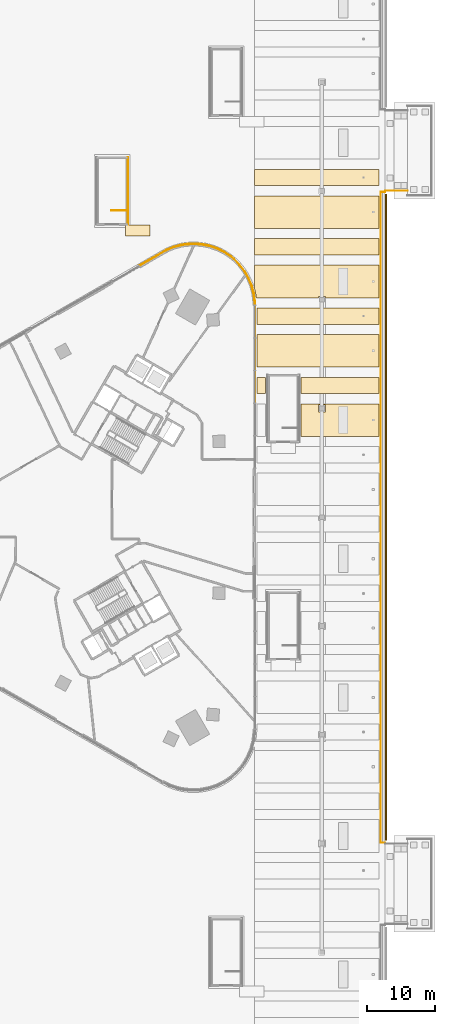
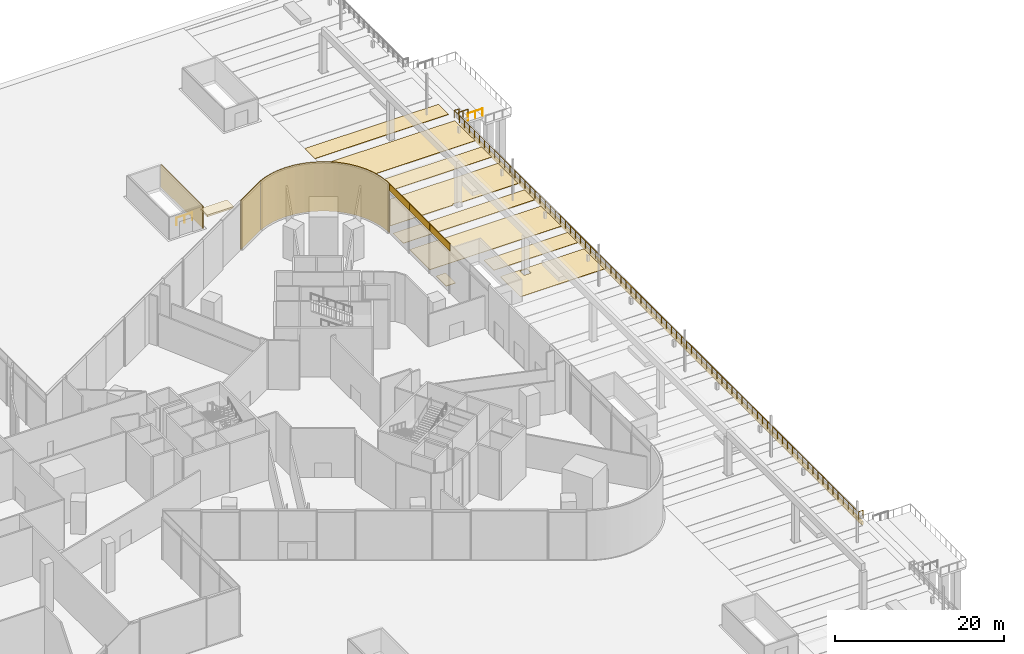
# One storey, part 38 of 41: 17 coverings, 4 railings.
"""IFC4 building model written with IfcOpenShell, lengths in metres."""

from ifc_helpers import new_model, si_unit, direction, frame, origin, origin_2d, place, context, subcontext, project, spatial, polyline, rectangle, circle, outline, extrude, material, layer, layer_set, type_object, element, save


model = new_model("IFC4")

# Units and contexts
model_context = context("Model", 3, precision=1e-05, world=origin(), true_north=direction((0.0, 1.0)))
body_context = subcontext(model_context, "Body", "Model", "MODEL_VIEW")
ifc_project = project(units=[si_unit("LENGTHUNIT", "METRE"), si_unit("AREAUNIT", "SQUARE_METRE"), si_unit("VOLUMEUNIT", "CUBIC_METRE"), si_unit("PLANEANGLEUNIT", "RADIAN"), si_unit("MASSUNIT", "GRAM", prefix="KILO")], contexts=[model_context])

# Site, building, storey
site_placement = place(None, origin())
site = spatial("IfcSite", under=ifc_project, at=site_placement, CompositionType="ELEMENT")
building_placement = place(site_placement, origin())
building = spatial("IfcBuilding", under=site, at=building_placement, Name="Tamra Quay Hotel Tower", CompositionType="ELEMENT")
storey_placement = place(building_placement, origin())
storey = spatial("IfcBuildingStorey", under=building, at=storey_placement, Name="L00", CompositionType="ELEMENT", Elevation=0.0)

# Railing
ifc_material_1 = material(Name="Basement stair guard 1100")
railing_type_1 = type_object("IfcRailingType", Name="Basement stair guard 1100", PredefinedType="GUARDRAIL", material=ifc_material_1)
railing_1_placement = place(storey_placement, frame((8.10009765625, 45.14990234375, 0.0)))
element("IfcRailing", 1, at=railing_1_placement, inside=storey, type_object=railing_type_1, Name="BSG", PredefinedType="GUARDRAIL", context=body_context, shape_type="SweptSolid", body=[
    extrude(circle(Radius=0.02392578125, at=origin_2d()), frame((0.0, 0.0, 1.076171875), z_axis=(-1.0, 0.0, 0.0), x_axis=(0.0, -1.0, 0.0)), (0.0, 0.0, 1.0), 2.150146484375),
    extrude(circle(Radius=0.02099609375, at=origin_2d()), origin(), (0.0, 0.0, 1.0), 1.052001953125),
    extrude(circle(Radius=0.02099609375, at=origin_2d()), frame((-1.0751953125, 0.0, 0.0)), (0.0, 0.0, 1.0), 1.052001953125),
    extrude(circle(Radius=0.02099609375, at=origin_2d()), frame((-2.150146484375, 0.0, 0.0)), (0.0, 0.0, 1.0), 1.052001953125),
])

# Coverings
ifc_material_2 = material(Name="Reinforced concrete M60 with waterproofing membrane", Category="concrete")
ifc_layer_1 = layer(ifc_material_2, 0.25)
ifc_layer_set_1 = layer_set([ifc_layer_1], Name="PAVILION CANOPY SHEET 250")
covering_type_1 = type_object("IfcCoveringType", Name="PAVILION CANOPY SHEET 250", PredefinedType="ROOFING", material=ifc_layer_set_1)
covering_1_placement = place(storey_placement, frame((0.0, 0.0, 2.75)))
element("IfcCovering", 2, at=covering_1_placement, inside=storey, type_object=covering_type_1, Name="Stair pavilion BS12 door canopy", PredefinedType="ROOFING", context=body_context, shape_type="SweptSolid", body=[
    extrude(outline(polyline([(8.0, 43.0), (11.60009765625, 43.0), (11.60009765625, 41.39990234375), (8.0, 41.39990234375), (8.0, 43.0)])), origin(), (0.0, 0.0, 1.0), 0.25),
])
ifc_material_3 = material(Name="Precast concrete M60 terracotta-coloured pierced relief", Category="masonry")
ifc_layer_2 = layer(ifc_material_3, 0.10009765625)
ifc_layer_set_2 = layer_set([ifc_layer_2], Name="PIERCED RELIEF PANEL 100")
covering_type_2 = type_object("IfcCoveringType", Name="PIERCED RELIEF PANEL 100", PredefinedType="CLADDING", material=ifc_layer_set_2)
for number, where, z_axis, x_axis, name in (
    (3, (27.050048828125, 19.185791015625, 6.10009765625), (0.0, 0.0, 1.0), (0.0, 1.0, 0.0), "Relief panel L00.E.14"),
    (4, (27.050048828125, 23.982177734375, 6.10009765625), (0.0, 0.0, 1.0), (0.0, 1.0, 0.0), "Relief panel L00.E.15"),
    (5, (27.050048828125, 28.77880859375, 6.10009765625), (0.0, 0.0, 1.0), (0.0, 1.0, 0.0), "Relief panel L00.E.16"),
):
    element("IfcCovering", number, at=place(storey_placement, frame(where, z_axis=z_axis, x_axis=x_axis)), inside=storey, type_object=covering_type_2, Name=name, PredefinedType="CLADDING", context=body_context, shape_type="SweptSolid", body=[
        extrude(rectangle(XDim=4.7763671875, YDim=0.10009765625, at=origin_2d()), origin(), (0.0, 0.0, 1.0), 1.0),
    ])
covering_2_placement = place(storey_placement, origin())
element("IfcCovering", 6, at=covering_2_placement, inside=storey, type_object=covering_type_2, Name="Relief panel L00.c2", PredefinedType="CLADDING", context=body_context, shape_type="SweptSolid", body=[
    extrude(outline(polyline([(27.0, 31.177001953125), (26.980712890625, 31.765625), (26.8271484375, 32.9326171875), (26.5224609375, 34.06982421875), (26.07177734375, 35.157470703125), (25.483154296875, 36.177001953125), (24.7666015625, 37.111083984375), (23.93408203125, 37.943359375), (23.478759765625, 38.317138671875), (22.5, 38.97119140625), (21.444091796875, 39.491943359375), (20.329345703125, 39.870361328125), (19.1748046875, 40.099853515625), (18.0, 40.177001953125), (16.8251953125, 40.099853515625), (16.244140625, 40.00390625), (15.10693359375, 39.69921875), (14.019287109375, 39.248779296875), (13.981201171875, 39.341064453125), (15.074951171875, 39.7939453125), (16.22314453125, 40.101806640625), (16.813720703125, 40.19921875), (18.0, 40.27685546875), (19.187744140625, 40.198974609375), (20.355224609375, 39.966796875), (21.482421875, 39.584228515625), (22.550048828125, 39.057861328125), (23.538330078125, 38.3974609375), (24.001220703125, 38.017578125), (24.841796875, 37.177001953125), (25.56640625, 36.232666015625), (26.16162109375, 35.20166015625), (26.616943359375, 34.10205078125), (26.925048828125, 32.9521484375), (27.080322265625, 31.773681640625), (27.099853515625, 31.18017578125), (27.0, 31.177001953125)])), origin(), (0.0, 0.0, 1.0), 7.10009765625),
])
covering_3_placement = place(storey_placement, frame((11.99365234375, 38.137939453125, 0.0), z_axis=(0.0, 0.0, 1.0), x_axis=(-0.866214936261, -0.499671576337, 0.0)))
element("IfcCovering", 7, at=covering_3_placement, inside=storey, type_object=covering_type_2, Name="Relief panel L00.NW.00", PredefinedType="CLADDING", context=body_context, shape_type="SweptSolid", body=[
    extrude(rectangle(XDim=4.599853515625, YDim=0.10009765625, at=origin_2d()), origin(), (0.0, 0.0, 1.0), 7.10009765625),
])
covering_4_placement = place(storey_placement, frame((8.35009765625, 48.0, 0.0), z_axis=(0.0, 0.0, 1.0), x_axis=(0.0, 1.0, 0.0)))
element("IfcCovering", 8, at=covering_4_placement, inside=storey, type_object=covering_type_2, Name="Relief panel BS12.E", PredefinedType="CLADDING", context=body_context, shape_type="SweptSolid", body=[
    extrude(rectangle(XDim=9.97998046875, YDim=0.10009765625, at=origin_2d()), origin(), (0.0, 0.0, 1.0), 3.199951171875),
])
ifc_material_4 = material(Name="Limestone flagstone paving light grey", Category="masonry")
ifc_layer_3 = layer(ifc_material_4, 0.06005859375)
ifc_layer_set_3 = layer_set([ifc_layer_3], Name="PROMENADE PAVING 60")
covering_type_3 = type_object("IfcCoveringType", Name="PROMENADE PAVING 60", PredefinedType="USERDEFINED", material=ifc_layer_set_3)
covering_5_placement = place(storey_placement, origin())
element("IfcCovering", 9, at=covering_5_placement, inside=storey, type_object=covering_type_3, Name="Tamra Quay Promenade paving strip.19", ObjectType="PAVING", PredefinedType="USERDEFINED", context=body_context, shape_type="SweptSolid", body=[
    extrude(outline(polyline([(45.300048828125, 11.89990234375), (45.300048828125, 16.699951171875), (33.85009765625, 16.699951171875), (33.85009765625, 11.89990234375), (45.300048828125, 11.89990234375)]), holes=[polyline([(36.39990234375, 16.5), (36.39990234375, 15.5), (37.39990234375, 15.5), (37.39990234375, 16.5), (36.39990234375, 16.5)])]), origin(), (0.0, 0.0, 1.0), 0.06005859375),
])
covering_6_placement = place(storey_placement, origin())
element("IfcCovering", 10, at=covering_6_placement, inside=storey, type_object=covering_type_3, Name="Tamra Quay Promenade paving strip.20", ObjectType="PAVING", PredefinedType="USERDEFINED", context=body_context, shape_type="SweptSolid", body=[
    extrude(outline(polyline([(45.300048828125, 18.199951171875), (45.300048828125, 20.60009765625), (33.85009765625, 20.60009765625), (33.85009765625, 18.199951171875), (45.300048828125, 18.199951171875)])), origin(), (0.0, 0.0, 1.0), 0.06005859375),
])
covering_7_placement = place(storey_placement, origin())
element("IfcCovering", 11, at=covering_7_placement, inside=storey, type_object=covering_type_3, Name="Tamra Quay Promenade paving strip.20.1", ObjectType="PAVING", PredefinedType="USERDEFINED", context=body_context, shape_type="SweptSolid", body=[
    extrude(outline(polyline([(27.320068359375, 20.60009765625), (27.320068359375, 18.199951171875), (28.60009765625, 18.199951171875), (28.60009765625, 20.60009765625), (27.320068359375, 20.60009765625)])), origin(), (0.0, 0.0, 1.0), 0.06005859375),
])
covering_8_placement = place(storey_placement, origin())
element("IfcCovering", 12, at=covering_8_placement, inside=storey, type_object=covering_type_3, Name="Tamra Quay Promenade paving strip.21", ObjectType="PAVING", PredefinedType="USERDEFINED", context=body_context, shape_type="SweptSolid", body=[
    extrude(outline(polyline([(27.320068359375, 26.89990234375), (27.320068359375, 22.10009765625), (45.300048828125, 22.10009765625), (45.300048828125, 26.89990234375), (27.320068359375, 26.89990234375)])), origin(), (0.0, 0.0, 1.0), 0.06005859375),
])
covering_9_placement = place(storey_placement, origin())
element("IfcCovering", 13, at=covering_9_placement, inside=storey, type_object=covering_type_3, Name="Tamra Quay Promenade paving strip.22", ObjectType="PAVING", PredefinedType="USERDEFINED", context=body_context, shape_type="SweptSolid", body=[
    extrude(outline(polyline([(27.320068359375, 30.800048828125), (27.320068359375, 28.39990234375), (45.300048828125, 28.39990234375), (45.300048828125, 30.800048828125), (27.320068359375, 30.800048828125)])), origin(), (0.0, 0.0, 1.0), 0.06005859375),
])
covering_10_placement = place(storey_placement, origin())
element("IfcCovering", 14, at=covering_10_placement, inside=storey, type_object=covering_type_3, Name="Tamra Quay Promenade paving strip.23", ObjectType="PAVING", PredefinedType="USERDEFINED", context=body_context, shape_type="SweptSolid", body=[
    extrude(outline(polyline([(27.240478515625, 32.393310546875), (27.24951171875, 32.300048828125), (36.39990234375, 32.300048828125), (36.39990234375, 32.5), (37.39990234375, 32.5), (37.39990234375, 32.300048828125), (45.300048828125, 32.300048828125), (45.300048828125, 37.10009765625), (27.0, 37.10009765625), (27.0, 33.59765625), (27.002685546875, 33.589111328125), (27.14111328125, 32.9951171875), (27.240478515625, 32.393310546875)])), origin(), (0.0, 0.0, 1.0), 0.06005859375),
])
covering_11_placement = place(storey_placement, origin())
element("IfcCovering", 15, at=covering_11_placement, inside=storey, type_object=covering_type_3, Name="Tamra Quay Promenade paving strip.24", ObjectType="PAVING", PredefinedType="USERDEFINED", context=body_context, shape_type="SweptSolid", body=[
    extrude(outline(polyline([(27.0, 41.0), (27.0, 38.60009765625), (45.300048828125, 38.60009765625), (45.300048828125, 41.0), (27.0, 41.0)])), origin(), (0.0, 0.0, 1.0), 0.06005859375),
])
covering_12_placement = place(storey_placement, origin())
element("IfcCovering", 16, at=covering_12_placement, inside=storey, type_object=covering_type_3, Name="Tamra Quay Promenade paving strip.25", ObjectType="PAVING", PredefinedType="USERDEFINED", context=body_context, shape_type="SweptSolid", body=[
    extrude(outline(polyline([(27.0, 47.300048828125), (27.0, 42.5), (45.300048828125, 42.5), (45.300048828125, 47.300048828125), (27.0, 47.300048828125)])), origin(), (0.0, 0.0, 1.0), 0.06005859375),
])
covering_13_placement = place(storey_placement, origin())
element("IfcCovering", 17, at=covering_13_placement, inside=storey, type_object=covering_type_3, Name="Tamra Quay Promenade paving strip.26", ObjectType="PAVING", PredefinedType="USERDEFINED", context=body_context, shape_type="SweptSolid", body=[
    extrude(outline(polyline([(27.0, 51.199951171875), (27.0, 48.800048828125), (45.300048828125, 48.800048828125), (45.300048828125, 51.199951171875), (27.0, 51.199951171875)])), origin(), (0.0, 0.0, 1.0), 0.06005859375),
])

# Railings
ifc_material_5 = material(Name="Stainless steel balustrade", Category="steel")
railing_type_2 = type_object("IfcRailingType", Name="QUAY EDGE GUARD 1100", PredefinedType="GUARDRAIL", material=ifc_material_5)
railing_2_placement = place(storey_placement, frame((46.199951171875, -47.883056640625, 0.0)))
element("IfcRailing", 18, at=railing_2_placement, inside=storey, type_object=railing_type_2, Name="GR3", PredefinedType="GUARDRAIL", context=body_context, shape_type="SweptSolid", body=[
    extrude(circle(Radius=0.02392578125, at=origin_2d()), frame((0.0, 0.0, 1.076171875), z_axis=(-1.0, 0.0, 0.0), x_axis=(0.0, -1.0, 0.0)), (0.0, 0.0, 1.0), 0.64990234375),
    extrude(circle(Radius=0.02392578125, at=origin_2d()), frame((-0.64990234375, 0.0, 1.076171875), z_axis=(0.0, 1.0, 0.0), x_axis=(-1.0, 0.0, 0.0)), (0.0, 0.0, 1.0), 95.76611328125),
    extrude(circle(Radius=0.02392578125, at=origin_2d()), frame((-0.64990234375, 95.76611328125, 1.076171875), z_axis=(1.0, 0.0, 0.0), x_axis=(0.0, 1.0, 0.0)), (0.0, 0.0, 1.0), 0.64990234375),
    extrude(circle(Radius=0.02099609375, at=origin_2d()), origin(), (0.0, 0.0, 1.0), 1.052001953125),
    extrude(circle(Radius=0.02099609375, at=origin_2d()), frame((-0.64990234375, 0.0, 0.0)), (0.0, 0.0, 1.0), 1.052001953125),
    extrude(circle(Radius=0.02099609375, at=origin_2d()), frame((-0.64990234375, 1.197021484375, 0.0)), (0.0, 0.0, 1.0), 1.052001953125),
    extrude(circle(Radius=0.02099609375, at=origin_2d()), frame((-0.64990234375, 2.39404296875, 0.0)), (0.0, 0.0, 1.0), 1.052001953125),
    extrude(circle(Radius=0.02099609375, at=origin_2d()), frame((-0.64990234375, 3.59130859375, 0.0)), (0.0, 0.0, 1.0), 1.052001953125),
    extrude(circle(Radius=0.02099609375, at=origin_2d()), frame((-0.64990234375, 4.788330078125, 0.0)), (0.0, 0.0, 1.0), 1.052001953125),
    extrude(circle(Radius=0.02099609375, at=origin_2d()), frame((-0.64990234375, 5.9853515625, 0.0)), (0.0, 0.0, 1.0), 1.052001953125),
    extrude(circle(Radius=0.02099609375, at=origin_2d()), frame((-0.64990234375, 7.182373046875, 0.0)), (0.0, 0.0, 1.0), 1.052001953125),
    extrude(circle(Radius=0.02099609375, at=origin_2d()), frame((-0.64990234375, 8.379638671875, 0.0)), (0.0, 0.0, 1.0), 1.052001953125),
    extrude(circle(Radius=0.02099609375, at=origin_2d()), frame((-0.64990234375, 9.57666015625, 0.0)), (0.0, 0.0, 1.0), 1.052001953125),
    extrude(circle(Radius=0.02099609375, at=origin_2d()), frame((-0.64990234375, 10.773681640625, 0.0)), (0.0, 0.0, 1.0), 1.052001953125),
    extrude(circle(Radius=0.02099609375, at=origin_2d()), frame((-0.64990234375, 11.970703125, 0.0)), (0.0, 0.0, 1.0), 1.052001953125),
    extrude(circle(Radius=0.02099609375, at=origin_2d()), frame((-0.64990234375, 13.167724609375, 0.0)), (0.0, 0.0, 1.0), 1.052001953125),
    extrude(circle(Radius=0.02099609375, at=origin_2d()), frame((-0.64990234375, 14.364990234375, 0.0)), (0.0, 0.0, 1.0), 1.052001953125),
    extrude(circle(Radius=0.02099609375, at=origin_2d()), frame((-0.64990234375, 15.56201171875, 0.0)), (0.0, 0.0, 1.0), 1.052001953125),
    extrude(circle(Radius=0.02099609375, at=origin_2d()), frame((-0.64990234375, 16.759033203125, 0.0)), (0.0, 0.0, 1.0), 1.052001953125),
    extrude(circle(Radius=0.02099609375, at=origin_2d()), frame((-0.64990234375, 17.9560546875, 0.0)), (0.0, 0.0, 1.0), 1.052001953125),
    extrude(circle(Radius=0.02099609375, at=origin_2d()), frame((-0.64990234375, 19.1533203125, 0.0)), (0.0, 0.0, 1.0), 1.052001953125),
    extrude(circle(Radius=0.02099609375, at=origin_2d()), frame((-0.64990234375, 20.350341796875, 0.0)), (0.0, 0.0, 1.0), 1.052001953125),
    extrude(circle(Radius=0.02099609375, at=origin_2d()), frame((-0.64990234375, 21.54736328125, 0.0)), (0.0, 0.0, 1.0), 1.052001953125),
    extrude(circle(Radius=0.02099609375, at=origin_2d()), frame((-0.64990234375, 22.744384765625, 0.0)), (0.0, 0.0, 1.0), 1.052001953125),
    extrude(circle(Radius=0.02099609375, at=origin_2d()), frame((-0.64990234375, 23.94140625, 0.0)), (0.0, 0.0, 1.0), 1.052001953125),
    extrude(circle(Radius=0.02099609375, at=origin_2d()), frame((-0.64990234375, 25.138671875, 0.0)), (0.0, 0.0, 1.0), 1.052001953125),
    extrude(circle(Radius=0.02099609375, at=origin_2d()), frame((-0.64990234375, 26.335693359375, 0.0)), (0.0, 0.0, 1.0), 1.052001953125),
    extrude(circle(Radius=0.02099609375, at=origin_2d()), frame((-0.64990234375, 27.53271484375, 0.0)), (0.0, 0.0, 1.0), 1.052001953125),
    extrude(circle(Radius=0.02099609375, at=origin_2d()), frame((-0.64990234375, 28.729736328125, 0.0)), (0.0, 0.0, 1.0), 1.052001953125),
    extrude(circle(Radius=0.02099609375, at=origin_2d()), frame((-0.64990234375, 29.927001953125, 0.0)), (0.0, 0.0, 1.0), 1.052001953125),
    extrude(circle(Radius=0.02099609375, at=origin_2d()), frame((-0.64990234375, 31.1240234375, 0.0)), (0.0, 0.0, 1.0), 1.052001953125),
    extrude(circle(Radius=0.02099609375, at=origin_2d()), frame((-0.64990234375, 32.321044921875, 0.0)), (0.0, 0.0, 1.0), 1.052001953125),
    extrude(circle(Radius=0.02099609375, at=origin_2d()), frame((-0.64990234375, 33.51806640625, 0.0)), (0.0, 0.0, 1.0), 1.052001953125),
    extrude(circle(Radius=0.02099609375, at=origin_2d()), frame((-0.64990234375, 34.71533203125, 0.0)), (0.0, 0.0, 1.0), 1.052001953125),
    extrude(circle(Radius=0.02099609375, at=origin_2d()), frame((-0.64990234375, 35.912353515625, 0.0)), (0.0, 0.0, 1.0), 1.052001953125),
    extrude(circle(Radius=0.02099609375, at=origin_2d()), frame((-0.64990234375, 37.109375, 0.0)), (0.0, 0.0, 1.0), 1.052001953125),
    extrude(circle(Radius=0.02099609375, at=origin_2d()), frame((-0.64990234375, 38.306396484375, 0.0)), (0.0, 0.0, 1.0), 1.052001953125),
    extrude(circle(Radius=0.02099609375, at=origin_2d()), frame((-0.64990234375, 39.50341796875, 0.0)), (0.0, 0.0, 1.0), 1.052001953125),
    extrude(circle(Radius=0.02099609375, at=origin_2d()), frame((-0.64990234375, 40.70068359375, 0.0)), (0.0, 0.0, 1.0), 1.052001953125),
    extrude(circle(Radius=0.02099609375, at=origin_2d()), frame((-0.64990234375, 41.897705078125, 0.0)), (0.0, 0.0, 1.0), 1.052001953125),
    extrude(circle(Radius=0.02099609375, at=origin_2d()), frame((-0.64990234375, 43.0947265625, 0.0)), (0.0, 0.0, 1.0), 1.052001953125),
    extrude(circle(Radius=0.02099609375, at=origin_2d()), frame((-0.64990234375, 44.291748046875, 0.0)), (0.0, 0.0, 1.0), 1.052001953125),
    extrude(circle(Radius=0.02099609375, at=origin_2d()), frame((-0.64990234375, 45.489013671875, 0.0)), (0.0, 0.0, 1.0), 1.052001953125),
    extrude(circle(Radius=0.02099609375, at=origin_2d()), frame((-0.64990234375, 46.68603515625, 0.0)), (0.0, 0.0, 1.0), 1.052001953125),
    extrude(circle(Radius=0.02099609375, at=origin_2d()), frame((-0.64990234375, 47.883056640625, 0.0)), (0.0, 0.0, 1.0), 1.052001953125),
    extrude(circle(Radius=0.02099609375, at=origin_2d()), frame((-0.64990234375, 49.080078125, 0.0)), (0.0, 0.0, 1.0), 1.052001953125),
    extrude(circle(Radius=0.02099609375, at=origin_2d()), frame((-0.64990234375, 50.277099609375, 0.0)), (0.0, 0.0, 1.0), 1.052001953125),
    extrude(circle(Radius=0.02099609375, at=origin_2d()), frame((-0.64990234375, 51.474365234375, 0.0)), (0.0, 0.0, 1.0), 1.052001953125),
    extrude(circle(Radius=0.02099609375, at=origin_2d()), frame((-0.64990234375, 52.67138671875, 0.0)), (0.0, 0.0, 1.0), 1.052001953125),
    extrude(circle(Radius=0.02099609375, at=origin_2d()), frame((-0.64990234375, 53.868408203125, 0.0)), (0.0, 0.0, 1.0), 1.052001953125),
    extrude(circle(Radius=0.02099609375, at=origin_2d()), frame((-0.64990234375, 55.0654296875, 0.0)), (0.0, 0.0, 1.0), 1.052001953125),
    extrude(circle(Radius=0.02099609375, at=origin_2d()), frame((-0.64990234375, 56.2626953125, 0.0)), (0.0, 0.0, 1.0), 1.052001953125),
    extrude(circle(Radius=0.02099609375, at=origin_2d()), frame((-0.64990234375, 57.459716796875, 0.0)), (0.0, 0.0, 1.0), 1.052001953125),
    extrude(circle(Radius=0.02099609375, at=origin_2d()), frame((-0.64990234375, 58.65673828125, 0.0)), (0.0, 0.0, 1.0), 1.052001953125),
    extrude(circle(Radius=0.02099609375, at=origin_2d()), frame((-0.64990234375, 59.853759765625, 0.0)), (0.0, 0.0, 1.0), 1.052001953125),
    extrude(circle(Radius=0.02099609375, at=origin_2d()), frame((-0.64990234375, 61.05078125, 0.0)), (0.0, 0.0, 1.0), 1.052001953125),
    extrude(circle(Radius=0.02099609375, at=origin_2d()), frame((-0.64990234375, 62.248046875, 0.0)), (0.0, 0.0, 1.0), 1.052001953125),
    extrude(circle(Radius=0.02099609375, at=origin_2d()), frame((-0.64990234375, 63.445068359375, 0.0)), (0.0, 0.0, 1.0), 1.052001953125),
    extrude(circle(Radius=0.02099609375, at=origin_2d()), frame((-0.64990234375, 64.64208984375, 0.0)), (0.0, 0.0, 1.0), 1.052001953125),
    extrude(circle(Radius=0.02099609375, at=origin_2d()), frame((-0.64990234375, 65.839111328125, 0.0)), (0.0, 0.0, 1.0), 1.052001953125),
    extrude(circle(Radius=0.02099609375, at=origin_2d()), frame((-0.64990234375, 67.036376953125, 0.0)), (0.0, 0.0, 1.0), 1.052001953125),
    extrude(circle(Radius=0.02099609375, at=origin_2d()), frame((-0.64990234375, 68.2333984375, 0.0)), (0.0, 0.0, 1.0), 1.052001953125),
    extrude(circle(Radius=0.02099609375, at=origin_2d()), frame((-0.64990234375, 69.430419921875, 0.0)), (0.0, 0.0, 1.0), 1.052001953125),
    extrude(circle(Radius=0.02099609375, at=origin_2d()), frame((-0.64990234375, 70.62744140625, 0.0)), (0.0, 0.0, 1.0), 1.052001953125),
    extrude(circle(Radius=0.02099609375, at=origin_2d()), frame((-0.64990234375, 71.82470703125, 0.0)), (0.0, 0.0, 1.0), 1.052001953125),
    extrude(circle(Radius=0.02099609375, at=origin_2d()), frame((-0.64990234375, 73.021728515625, 0.0)), (0.0, 0.0, 1.0), 1.052001953125),
    extrude(circle(Radius=0.02099609375, at=origin_2d()), frame((-0.64990234375, 74.21875, 0.0)), (0.0, 0.0, 1.0), 1.052001953125),
    extrude(circle(Radius=0.02099609375, at=origin_2d()), frame((-0.64990234375, 75.415771484375, 0.0)), (0.0, 0.0, 1.0), 1.052001953125),
    extrude(circle(Radius=0.02099609375, at=origin_2d()), frame((-0.64990234375, 76.61279296875, 0.0)), (0.0, 0.0, 1.0), 1.052001953125),
    extrude(circle(Radius=0.02099609375, at=origin_2d()), frame((-0.64990234375, 77.81005859375, 0.0)), (0.0, 0.0, 1.0), 1.052001953125),
    extrude(circle(Radius=0.02099609375, at=origin_2d()), frame((-0.64990234375, 79.007080078125, 0.0)), (0.0, 0.0, 1.0), 1.052001953125),
    extrude(circle(Radius=0.02099609375, at=origin_2d()), frame((-0.64990234375, 80.2041015625, 0.0)), (0.0, 0.0, 1.0), 1.052001953125),
    extrude(circle(Radius=0.02099609375, at=origin_2d()), frame((-0.64990234375, 81.401123046875, 0.0)), (0.0, 0.0, 1.0), 1.052001953125),
    extrude(circle(Radius=0.02099609375, at=origin_2d()), frame((-0.64990234375, 82.598388671875, 0.0)), (0.0, 0.0, 1.0), 1.052001953125),
    extrude(circle(Radius=0.02099609375, at=origin_2d()), frame((-0.64990234375, 83.79541015625, 0.0)), (0.0, 0.0, 1.0), 1.052001953125),
    extrude(circle(Radius=0.02099609375, at=origin_2d()), frame((-0.64990234375, 84.992431640625, 0.0)), (0.0, 0.0, 1.0), 1.052001953125),
    extrude(circle(Radius=0.02099609375, at=origin_2d()), frame((-0.64990234375, 86.189453125, 0.0)), (0.0, 0.0, 1.0), 1.052001953125),
    extrude(circle(Radius=0.02099609375, at=origin_2d()), frame((-0.64990234375, 87.386474609375, 0.0)), (0.0, 0.0, 1.0), 1.052001953125),
    extrude(circle(Radius=0.02099609375, at=origin_2d()), frame((-0.64990234375, 88.583740234375, 0.0)), (0.0, 0.0, 1.0), 1.052001953125),
    extrude(circle(Radius=0.02099609375, at=origin_2d()), frame((-0.64990234375, 89.78076171875, 0.0)), (0.0, 0.0, 1.0), 1.052001953125),
    extrude(circle(Radius=0.02099609375, at=origin_2d()), frame((-0.64990234375, 90.977783203125, 0.0)), (0.0, 0.0, 1.0), 1.052001953125),
    extrude(circle(Radius=0.02099609375, at=origin_2d()), frame((-0.64990234375, 92.1748046875, 0.0)), (0.0, 0.0, 1.0), 1.052001953125),
    extrude(circle(Radius=0.02099609375, at=origin_2d()), frame((-0.64990234375, 93.3720703125, 0.0)), (0.0, 0.0, 1.0), 1.052001953125),
    extrude(circle(Radius=0.02099609375, at=origin_2d()), frame((-0.64990234375, 94.569091796875, 0.0)), (0.0, 0.0, 1.0), 1.052001953125),
    extrude(circle(Radius=0.02099609375, at=origin_2d()), frame((-0.64990234375, 95.76611328125, 0.0)), (0.0, 0.0, 1.0), 1.052001953125),
    extrude(circle(Radius=0.02099609375, at=origin_2d()), frame((0.0, 95.76611328125, 0.0)), (0.0, 0.0, 1.0), 1.052001953125),
])
railing_3_placement = place(storey_placement, frame((46.199951171875, 48.032958984375, -0.60009765625)))
element("IfcRailing", 19, at=railing_3_placement, inside=storey, type_object=railing_type_2, Name="GR3", PredefinedType="GUARDRAIL", context=body_context, shape_type="SweptSolid", body=[
    extrude(circle(Radius=0.02392578125, at=origin_2d()), frame((0.0, 0.0, 1.076171875), z_axis=(1.0, 0.0, 0.0), x_axis=(0.0, 1.0, 0.0)), (0.0, 0.0, 1.0), 1.300048828125),
    extrude(circle(Radius=0.02099609375, at=origin_2d()), origin(), (0.0, 0.0, 1.0), 1.052001953125),
    extrude(circle(Radius=0.02099609375, at=origin_2d()), frame((0.64990234375, 0.0, 0.0)), (0.0, 0.0, 1.0), 1.052001953125),
    extrude(circle(Radius=0.02099609375, at=origin_2d()), frame((1.300048828125, 0.0, 0.0)), (0.0, 0.0, 1.0), 1.052001953125),
])
railing_4_placement = place(storey_placement, frame((47.5, 48.032958984375, -1.199951171875)))
element("IfcRailing", 20, at=railing_4_placement, inside=storey, type_object=railing_type_2, Name="GR3", PredefinedType="GUARDRAIL", context=body_context, shape_type="SweptSolid", body=[
    extrude(circle(Radius=0.02392578125, at=origin_2d()), frame((0.0, 0.0, 1.076171875), z_axis=(1.0, 0.0, 0.0), x_axis=(0.0, 1.0, 0.0)), (0.0, 0.0, 1.0), 2.0),
    extrude(circle(Radius=0.02099609375, at=origin_2d()), origin(), (0.0, 0.0, 1.0), 1.052001953125),
    extrude(circle(Radius=0.02099609375, at=origin_2d()), frame((1.0, 0.0, 0.0)), (0.0, 0.0, 1.0), 1.052001953125),
    extrude(circle(Radius=0.02099609375, at=origin_2d()), frame((2.0, 0.0, 0.0)), (0.0, 0.0, 1.0), 1.052001953125),
])

# Covering
ifc_material_6 = material(Name="Hardwood timber fender rail", Category="wood")
ifc_layer_4 = layer(ifc_material_6, 0.25)
ifc_layer_set_4 = layer_set([ifc_layer_4], Name="QUAY FENDER RAIL 250X500")
covering_type_4 = type_object("IfcCoveringType", Name="QUAY FENDER RAIL 250X500", PredefinedType="MOLDING", material=ifc_layer_set_4)
covering_14_placement = place(storey_placement, frame((0.0, 0.0, -1.300048828125)))
element("IfcCovering", 21, at=covering_14_placement, inside=storey, type_object=covering_type_4, Name="Quay fender rail", PredefinedType="MOLDING", context=body_context, shape_type="SweptSolid", body=[
    extrude(outline(polyline([(46.199951171875, -47.532958984375), (46.449951171875, -47.532958984375), (46.449951171875, 47.532958984375), (46.199951171875, 47.532958984375), (46.199951171875, -47.532958984375)])), origin(), (0.0, 0.0, 1.0), 0.5),
])

save(model, "model.ifc")
